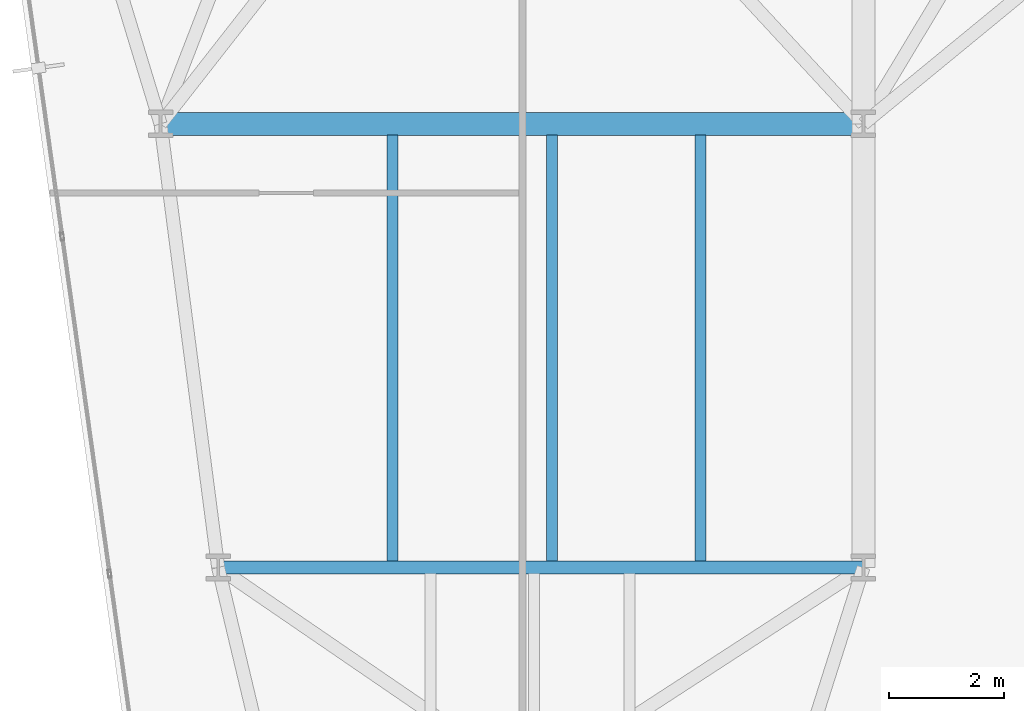
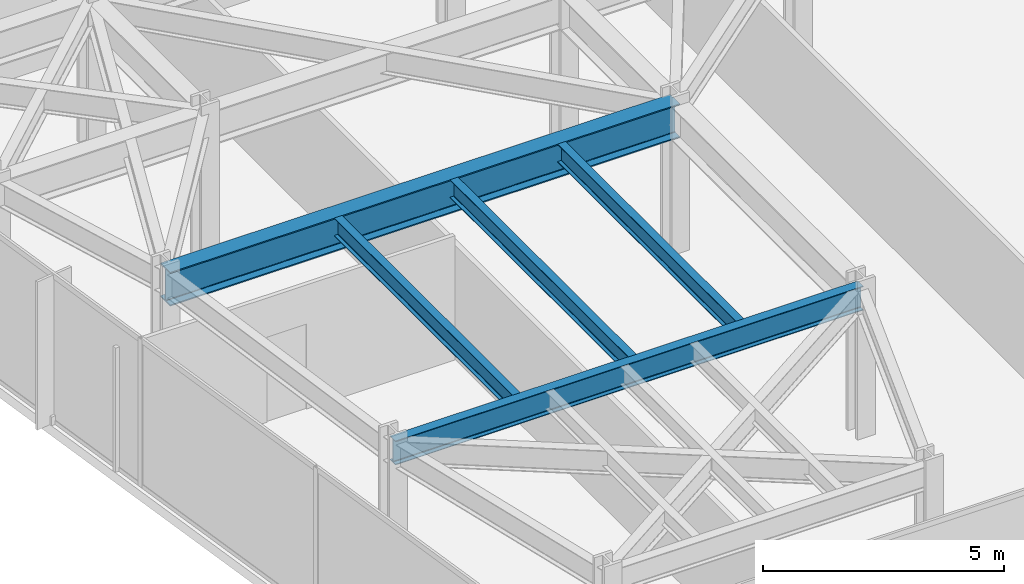
# One storey, part 6 of 26: 5 beams.
"""IFC4 building model written with IfcOpenShell, lengths in metres."""

from ifc_helpers import new_model, si_unit, direction, frame, origin, origin_2d, place, context, subcontext, project, spatial, i_section, extrude, material, material_profile, profile_set, type_object, element, save


model = new_model("IFC4")

# Units and contexts
model_context = context("Model", 3, precision=1e-05, world=origin(), true_north=direction((0.0, 1.0)))
body_context = subcontext(model_context, "Body", "Model", "MODEL_VIEW")
ifc_project = project(units=[si_unit("LENGTHUNIT", "METRE"), si_unit("AREAUNIT", "SQUARE_METRE"), si_unit("VOLUMEUNIT", "CUBIC_METRE"), si_unit("PLANEANGLEUNIT", "RADIAN"), si_unit("MASSUNIT", "GRAM", prefix="KILO")], contexts=[model_context])

# Site, building, storey
site_placement = place(None, origin())
site = spatial("IfcSite", under=ifc_project, at=site_placement, CompositionType="ELEMENT")
building_placement = place(site_placement, origin())
building = spatial("IfcBuilding", under=site, at=building_placement, Name="Kravanh Interchange Tower", CompositionType="ELEMENT")
storey_placement = place(building_placement, frame((0.0, 0.0, 100.0)))
storey = spatial("IfcBuildingStorey", under=building, at=storey_placement, Name="L23", CompositionType="ELEMENT", Elevation=100.0)

# Beams
ifc_material_1 = material(Name="Structural Steel S355", Category="steel")
ifc_material_profile_1 = material_profile(ifc_material_1, i_section(OverallWidth=0.39990234375, OverallDepth=0.85595703125, WebThickness=0.018310546875, FlangeThickness=0.029296875, FilletRadius=0.02490234375, at=origin_2d()), Name="W33X201")
ifc_profile_set_1 = profile_set([ifc_material_profile_1], Name="Structural Steel S355")
beam_type_1 = type_object("IfcBeamType", Name="Floor Beam W33X201 Structural Steel S355", PredefinedType="BEAM", material=ifc_profile_set_1)
beam_1_placement = place(storey_placement, frame((15.0, 22.199951171875, 3.322021484375), z_axis=(1.0, 0.0, 0.0), x_axis=(0.0, 1.0, 0.0)))
element("IfcBeam", 1, at=beam_1_placement, inside=storey, type_object=beam_type_1, Name="L23 Primary Floor Girder 108", PredefinedType="BEAM", context=body_context, shape_type="SweptSolid", body=[
    extrude(i_section(OverallWidth=0.39990234375, OverallDepth=0.85595703125, WebThickness=0.018310546875, FlangeThickness=0.029296875, FilletRadius=0.02490234375, at=origin_2d()), origin(), (0.0, 0.0, 1.0), 12.199951171875),
])
ifc_material_2 = material(Name="Structural Steel S355", Category="steel")
ifc_material_profile_2 = material_profile(ifc_material_2, i_section(OverallWidth=0.18994140625, OverallDepth=0.45703125, WebThickness=0.009033203125, FlangeThickness=0.014404296875, FilletRadius=0.01806640625, at=origin_2d()), Name="W18X50")
ifc_profile_set_2 = profile_set([ifc_material_profile_2], Name="Structural Steel S355")
beam_type_2 = type_object("IfcBeamType", Name="Floor Joist W18X50 Structural Steel S355", PredefinedType="JOIST", material=ifc_profile_set_2)
for number, where, z_axis, x_axis, name in (
    (2, (19.02587890625, 14.60888671875, 3.521484375), (0.0, 1.0, 0.0), (-1.0, 0.0, 0.0), "L23 Secondary Floor Joist 7"),
    (3, (21.798095703125, 14.60888671875, 3.521484375), (0.0, 1.0, 0.0), (-1.0, 0.0, 0.0), "L23 Secondary Floor Joist 8"),
    (4, (24.3720703125, 14.60888671875, 3.521484375), (0.0, 1.0, 0.0), (-1.0, 0.0, 0.0), "L23 Secondary Floor Joist 9"),
):
    element("IfcBeam", number, at=place(storey_placement, frame(where, z_axis=z_axis, x_axis=x_axis)), inside=storey, type_object=beam_type_2, Name=name, PredefinedType="JOIST", context=body_context, shape_type="SweptSolid", body=[
        extrude(i_section(OverallWidth=0.18994140625, OverallDepth=0.45703125, WebThickness=0.009033203125, FlangeThickness=0.014404296875, FilletRadius=0.01806640625, at=origin_2d()), origin(), (0.0, 0.0, 1.0), 7.39599609375),
    ])
ifc_material_3 = material(Name="Structural Steel S355", Category="steel")
ifc_material_profile_3 = material_profile(ifc_material_3, i_section(OverallWidth=0.22802734375, OverallDepth=0.60791015625, WebThickness=0.01123046875, FlangeThickness=0.017333984375, FilletRadius=0.02197265625, at=origin_2d()), Name="W24X76")
ifc_profile_set_3 = profile_set([ifc_material_profile_3], Name="Structural Steel S355")
beam_type_3 = type_object("IfcBeamType", Name="Floor Spandrel W24X76 Structural Steel S355", PredefinedType="SPANDREL", material=ifc_profile_set_3)
beam_2_placement = place(storey_placement, frame((16.0, 14.5, 3.446044921875), z_axis=(1.0, 0.0, 0.0), x_axis=(0.0, 1.0, 0.0)))
element("IfcBeam", 5, at=beam_2_placement, inside=storey, type_object=beam_type_3, Name="L23 Perimeter Spandrel 101", PredefinedType="SPANDREL", context=body_context, shape_type="SweptSolid", body=[
    extrude(i_section(OverallWidth=0.22802734375, OverallDepth=0.60791015625, WebThickness=0.01123046875, FlangeThickness=0.017333984375, FilletRadius=0.02197265625, at=origin_2d()), origin(), (0.0, 0.0, 1.0), 11.199951171875),
])

save(model, "model.ifc")
